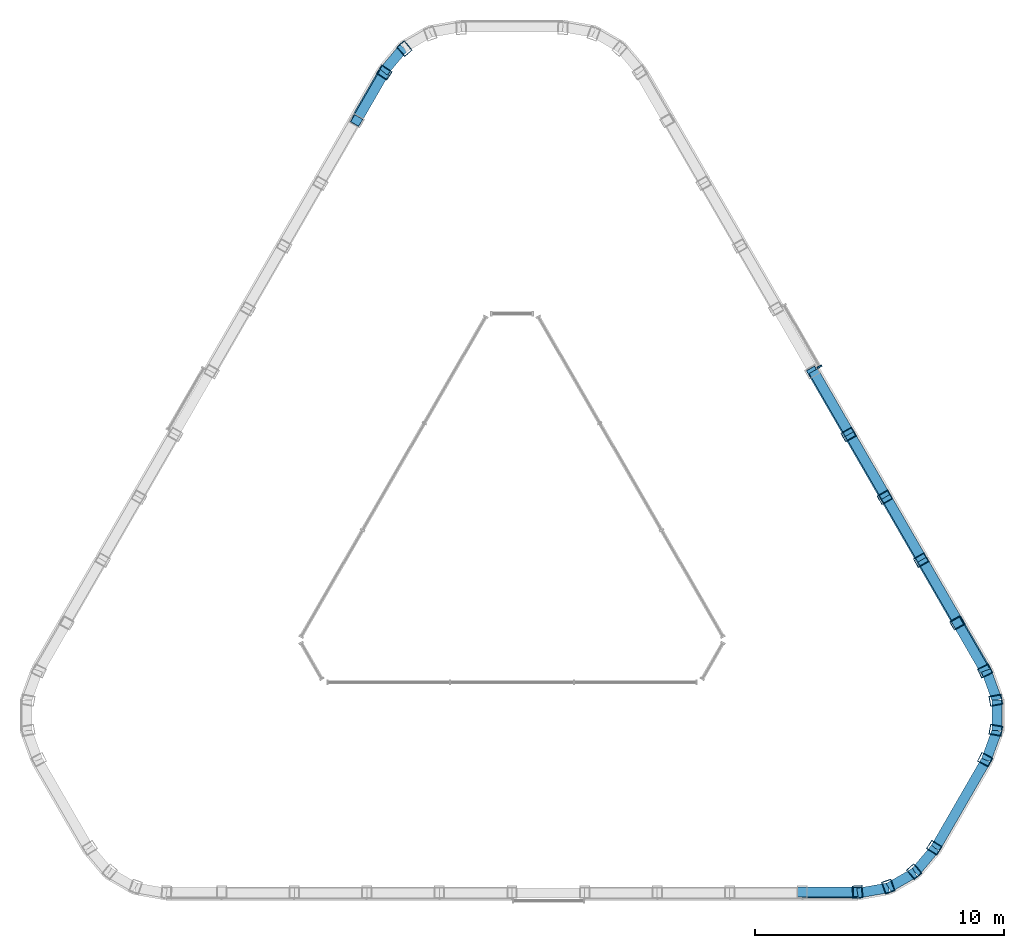
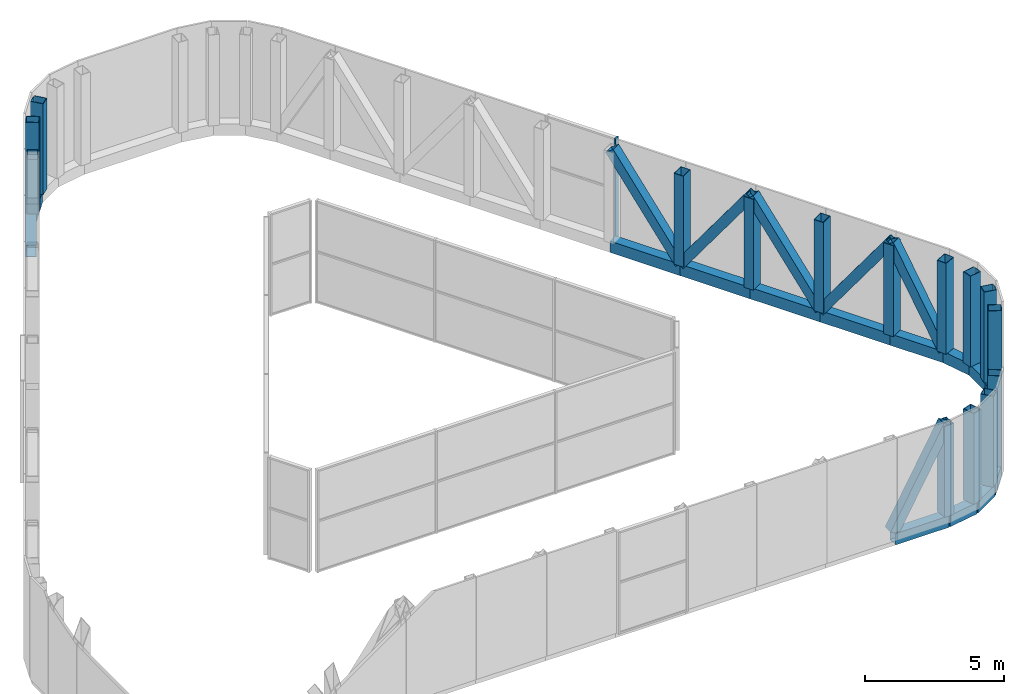
# One storey, part 3 of 5: 37 members, 1 element without a shape of its own.
"""IFC4 building model written with IfcOpenShell, lengths in metres."""

from ifc_helpers import new_model, si_unit, direction, frame, origin, origin_2d, place, context, subcontext, project, spatial, rectangle, hollow_rectangle, extrude, material, layer, layer_set, material_profile, profile_set, type_object, element, aggregate, save


model = new_model("IFC4")

# Units and contexts
model_context = context("Model", 3, precision=1e-05, world=origin(), true_north=direction((0.0, 1.0)))
body_context = subcontext(model_context, "Body", "Model", "MODEL_VIEW")
ifc_project = project(units=[si_unit("LENGTHUNIT", "METRE"), si_unit("AREAUNIT", "SQUARE_METRE"), si_unit("VOLUMEUNIT", "CUBIC_METRE"), si_unit("PLANEANGLEUNIT", "RADIAN"), si_unit("MASSUNIT", "GRAM", prefix="KILO")], contexts=[model_context])

# Site, building, storey
site_placement = place(None, origin())
site = spatial("IfcSite", under=ifc_project, at=site_placement, CompositionType="ELEMENT")
building_placement = place(site_placement, origin())
building = spatial("IfcBuilding", under=site, at=building_placement, Name="Apuvela Tower Hotel", CompositionType="ELEMENT")
storey_placement = place(building_placement, frame((0.0, 0.0, 362.300048828125)))
storey = spatial("IfcBuildingStorey", under=building, at=storey_placement, Name="R-5 ROOF", CompositionType="ELEMENT", Elevation=362.300048828125)

# Members
ifc_material_1 = material(Name="Steel S355, black paint system", Category="steel")
ifc_material_profile_1 = material_profile(ifc_material_1, hollow_rectangle(XDim=0.39990234375, YDim=0.39990234375, WallThickness=0.01611328125, at=origin_2d()), Name="HSS 400x400x16")
ifc_profile_set_1 = profile_set([ifc_material_profile_1], Name="Steel S355, black paint system")
member_type_1 = type_object("IfcMemberType", Name="ENV-CROWN-BRACE-400x400", PredefinedType="BRACE", material=ifc_profile_set_1)
member_1_placement = place(storey_placement, frame((-5.124755859375, 18.975830078125, 0.25), z_axis=(-0.242948815269, -0.420705831623, 0.874060911148), x_axis=(0.865977099567, -0.500083656027, 0.0)))
element("IfcMember", 1, at=member_1_placement, inside=storey, type_object=member_type_1, Name="Crown frame brace 7", PredefinedType="BRACE", context=body_context, shape_type="SweptSolid", body=[
    extrude(hollow_rectangle(XDim=0.39990234375, YDim=0.39990234375, WallThickness=0.01611328125, at=origin_2d()), origin(), (0.0, 0.0, 1.0), 4.576416015625),
])
member_2_placement = place(storey_placement, frame((11.64794921875, -13.92626953125, 0.25), z_axis=(0.485796931429, 0.0, 0.874071702673), x_axis=(0.0, 1.0, 0.0)))
element("IfcMember", 2, at=member_2_placement, inside=storey, type_object=member_type_1, Name="Crown frame brace 33", PredefinedType="BRACE", context=body_context, shape_type="SweptSolid", body=[
    extrude(hollow_rectangle(XDim=0.39990234375, YDim=0.39990234375, WallThickness=0.01611328125, at=origin_2d()), origin(), (0.0, 0.0, 1.0), 4.576171875),
])
member_3_placement = place(storey_placement, frame((18.99609375, -5.0498046875, 0.25), z_axis=(-0.242893162774, 0.420755188842, 0.874052620006), x_axis=(-0.866052104262, -0.499953750565, 0.0)))
element("IfcMember", 3, at=member_3_placement, inside=storey, type_object=member_type_1, Name="Crown frame brace 41", PredefinedType="BRACE", context=body_context, shape_type="SweptSolid", body=[
    extrude(hollow_rectangle(XDim=0.39990234375, YDim=0.39990234375, WallThickness=0.01611328125, at=origin_2d()), origin(), (0.0, 0.0, 1.0), 4.576416015625),
])
for number, where, z_axis, x_axis, name in (
    (4, (16.428466796875, -0.602294921875, 0.25), (0.294284958722, -0.509718917438, 0.80844479606), (0.866026430432, 0.49999822179, 0.0), "Crown frame brace 42"),
    (5, (16.428466796875, -0.602294921875, 0.25), (-0.294292360305, 0.509682392621, 0.808465129315), (-0.866005469285, -0.500034525977, 0.0), "Crown frame brace 43"),
    (6, (13.516357421875, 4.441162109375, 0.25), (0.294292360305, -0.509682392621, 0.808465129315), (0.866005469285, 0.500034525977, 0.0), "Crown frame brace 44"),
    (7, (13.516357421875, 4.441162109375, 0.25), (-0.294284958722, 0.509718917438, 0.80844479606), (-0.866026430432, -0.49999822179, 0.0), "Crown frame brace 45"),
):
    element("IfcMember", number, at=place(storey_placement, frame(where, z_axis=z_axis, x_axis=x_axis)), inside=storey, type_object=member_type_1, Name=name, PredefinedType="BRACE", context=body_context, shape_type="SweptSolid", body=[
        extrude(hollow_rectangle(XDim=0.39990234375, YDim=0.39990234375, WallThickness=0.01611328125, at=origin_2d()), origin(), (0.0, 0.0, 1.0), 4.94775390625),
    ])
ifc_material_profile_2 = material_profile(ifc_material_1, hollow_rectangle(XDim=0.39990234375, YDim=0.5, WallThickness=0.02001953125, at=origin_2d()), Name="HSS 500x400x20")
ifc_profile_set_2 = profile_set([ifc_material_profile_2], Name="Steel S355, black paint system")
member_type_2 = type_object("IfcMemberType", Name="ENV-CROWN-POST-500x400", PredefinedType="POST", material=ifc_profile_set_2)
for number, where, z_axis, x_axis, name in (
    (8, (-4.318115234375, 19.9375, 0.25), (0.0, 0.0, 1.0), (-0.763579690807, -0.645713601984, 0.0), "Crown frame post 6"),
    (9, (-5.124755859375, 18.975830078125, 0.25), (0.0, 0.0, 1.0), (-0.553467140498, -0.832871013056, 0.0), "Crown frame post 7"),
    (10, (13.87109375, -13.92626953125, 0.25), (0.0, 0.0, 1.0), (0.998021025631, 0.062881097303, 0.0), "Crown frame post 34"),
    (11, (15.107421875, -13.708251953125, 0.25), (0.0, 0.0, 1.0), (0.940994228291, 0.33842260906, 0.0), "Crown frame post 35"),
    (12, (16.148193359375, -13.107421875, 0.25), (0.0, 0.0, 1.0), (0.763579690807, 0.645713601984, 0.0), "Crown frame post 36"),
    (13, (16.955078125, -12.145751953125, 0.25), (0.0, 0.0, 1.0), (0.535045541825, 0.844823217113, 0.0), "Crown frame post 37"),
    (14, (18.99609375, -8.610595703125, 0.25), (0.0, 0.0, 1.0), (0.464115596815, 0.885774639958, 0.0), "Crown frame post 38"),
    (15, (19.42529296875, -7.43115234375, 0.25), (0.0, 0.0, 1.0), (0.177414537484, 0.984136211045, 0.0), "Crown frame post 39"),
    (16, (19.42529296875, -6.229248046875, 0.25), (0.0, 0.0, 1.0), (-0.177414537484, 0.984136211045, 0.0), "Crown frame post 40"),
    (17, (18.99609375, -5.0498046875, 0.25), (0.0, 0.0, 1.0), (-0.444553885133, 0.895752110359, 0.0), "Crown frame post 41"),
    (18, (17.884521484375, -3.124267578125, 0.25), (0.0, 0.0, 1.0), (-0.5, 0.866025403784, 0.0), "Crown frame post 42"),
    (19, (16.428466796875, -0.602294921875, 0.25), (0.0, 0.0, 1.0), (-0.5, 0.866025403784, 0.0), "Crown frame post 43"),
    (20, (14.972412109375, 1.91943359375, 0.25), (0.0, 0.0, 1.0), (-0.5, 0.866025403784, 0.0), "Crown frame post 44"),
    (21, (13.516357421875, 4.441162109375, 0.25), (0.0, 0.0, 1.0), (-0.5, 0.866025403784, 0.0), "Crown frame post 45"),
):
    element("IfcMember", number, at=place(storey_placement, frame(where, z_axis=z_axis, x_axis=x_axis)), inside=storey, type_object=member_type_2, Name=name, PredefinedType="POST", context=body_context, shape_type="SweptSolid", body=[
        extrude(hollow_rectangle(XDim=0.39990234375, YDim=0.5, WallThickness=0.02001953125, at=origin_2d()), origin(), (0.0, 0.0, 1.0), 4.0),
    ])
ifc_material_profile_3 = material_profile(ifc_material_1, hollow_rectangle(XDim=0.39990234375, YDim=0.5, WallThickness=0.01611328125, at=origin_2d()), Name="HSS 500x400x16")
ifc_profile_set_3 = profile_set([ifc_material_profile_3], Name="Steel S355, black paint system")
member_type_3 = type_object("IfcMemberType", Name="ENV-CROWN-RING-500x400", PredefinedType="STRINGER", material=ifc_profile_set_3)
member_4_placement = place(storey_placement, frame((-4.3505859375, 19.976318359375, 0.0), z_axis=(-0.642830918567, -0.766008100567, 0.0), x_axis=(0.766008100567, -0.642830918567, 0.0)))
element("IfcMember", 22, at=member_4_placement, inside=storey, type_object=member_type_3, Name="Crown frame ring beam 5.6", PredefinedType="STRINGER", context=body_context, shape_type="SweptSolid", body=[
    extrude(hollow_rectangle(XDim=0.39990234375, YDim=0.5, WallThickness=0.01611328125, at=origin_2d()), origin(), (0.0, 0.0, 1.0), 1.2685546875),
])
for number, where, z_axis, x_axis, name in (
    (23, (-5.166015625, 19.004638671875, 0.0), (-0.499941024108, -0.866059450854, 0.0), (0.866059450854, -0.499941024108, 0.0), "Crown frame ring beam 5.7"),
    (24, (11.651611328125, -13.976318359375, 0.0), (1.0, 0.0, 0.0), (0.0, 1.0, 0.0), "Crown frame ring beam 5.33"),
):
    element("IfcMember", number, at=place(storey_placement, frame(where, z_axis=z_axis, x_axis=x_axis)), inside=storey, type_object=member_type_3, Name=name, PredefinedType="STRINGER", context=body_context, shape_type="SweptSolid", body=[
        extrude(hollow_rectangle(XDim=0.39990234375, YDim=0.5, WallThickness=0.01611328125, at=origin_2d()), origin(), (0.0, 0.0, 1.0), 2.223876953125),
    ])
member_5_placement = place(storey_placement, frame((13.87548828125, -13.976318359375, 0.0), z_axis=(0.984783558818, 0.173785333909, 0.0), x_axis=(-0.173785333909, 0.984783558818, 0.0)))
element("IfcMember", 25, at=member_5_placement, inside=storey, type_object=member_type_3, Name="Crown frame ring beam 5.34", PredefinedType="STRINGER", context=body_context, shape_type="SweptSolid", body=[
    extrude(hollow_rectangle(XDim=0.39990234375, YDim=0.5, WallThickness=0.01611328125, at=origin_2d()), origin(), (0.0, 0.0, 1.0), 1.2685546875),
])
member_6_placement = place(storey_placement, frame((15.124755859375, -13.755859375, 0.0), z_axis=(0.866078909804, 0.499907313403, 0.0), x_axis=(-0.499907313403, 0.866078909804, 0.0)))
element("IfcMember", 26, at=member_6_placement, inside=storey, type_object=member_type_3, Name="Crown frame ring beam 5.35", PredefinedType="STRINGER", context=body_context, shape_type="SweptSolid", body=[
    extrude(hollow_rectangle(XDim=0.39990234375, YDim=0.5, WallThickness=0.01611328125, at=origin_2d()), origin(), (0.0, 0.0, 1.0), 1.219482421875),
])
member_7_placement = place(storey_placement, frame((16.180908203125, -13.146240234375, 0.0), z_axis=(0.642717965607, 0.766102876046, 0.0), x_axis=(-0.766102876046, 0.642717965607, 0.0)))
element("IfcMember", 27, at=member_7_placement, inside=storey, type_object=member_type_3, Name="Crown frame ring beam 5.36", PredefinedType="STRINGER", context=body_context, shape_type="SweptSolid", body=[
    extrude(hollow_rectangle(XDim=0.39990234375, YDim=0.5, WallThickness=0.01611328125, at=origin_2d()), origin(), (0.0, 0.0, 1.0), 1.268310546875),
])
member_8_placement = place(storey_placement, frame((16.99609375, -12.174560546875, 0.0), z_axis=(0.500003144135, 0.86602358851, 0.0), x_axis=(-0.86602358851, 0.500003144135, 0.0)))
element("IfcMember", 28, at=member_8_placement, inside=storey, type_object=member_type_3, Name="Crown frame ring beam 5.37", PredefinedType="STRINGER", context=body_context, shape_type="SweptSolid", body=[
    extrude(hollow_rectangle(XDim=0.39990234375, YDim=0.5, WallThickness=0.01611328125, at=origin_2d()), origin(), (0.0, 0.0, 1.0), 4.0908203125),
])
member_9_placement = place(storey_placement, frame((19.04150390625, -8.6318359375, 0.0), z_axis=(0.34203668354, 0.939686600475, 0.0), x_axis=(-0.939686600475, 0.34203668354, 0.0)))
element("IfcMember", 29, at=member_9_placement, inside=storey, type_object=member_type_3, Name="Crown frame ring beam 5.38", PredefinedType="STRINGER", context=body_context, shape_type="SweptSolid", body=[
    extrude(hollow_rectangle(XDim=0.39990234375, YDim=0.5, WallThickness=0.01611328125, at=origin_2d()), origin(), (0.0, 0.0, 1.0), 1.268310546875),
])
member_10_placement = place(storey_placement, frame((19.475341796875, -7.43994140625, 0.0), z_axis=(0.0, 1.0, 0.0), x_axis=(-1.0, 0.0, 0.0)))
element("IfcMember", 30, at=member_10_placement, inside=storey, type_object=member_type_3, Name="Crown frame ring beam 5.39", PredefinedType="STRINGER", context=body_context, shape_type="SweptSolid", body=[
    extrude(hollow_rectangle(XDim=0.39990234375, YDim=0.5, WallThickness=0.01611328125, at=origin_2d()), origin(), (0.0, 0.0, 1.0), 1.219482421875),
])
member_11_placement = place(storey_placement, frame((19.475341796875, -6.220458984375, 0.0), z_axis=(-0.34203668354, 0.939686600475, 0.0), x_axis=(-0.939686600475, -0.34203668354, 0.0)))
element("IfcMember", 31, at=member_11_placement, inside=storey, type_object=member_type_3, Name="Crown frame ring beam 5.40", PredefinedType="STRINGER", context=body_context, shape_type="SweptSolid", body=[
    extrude(hollow_rectangle(XDim=0.39990234375, YDim=0.5, WallThickness=0.01611328125, at=origin_2d()), origin(), (0.0, 0.0, 1.0), 1.268310546875),
])
member_12_placement = place(storey_placement, frame((19.04150390625, -5.028564453125, 0.0), z_axis=(-0.500023359282, 0.866011916877, 0.0), x_axis=(-0.866011916877, -0.500023359282, 0.0)))
element("IfcMember", 32, at=member_12_placement, inside=storey, type_object=member_type_3, Name="Crown frame ring beam 5.41", PredefinedType="STRINGER", context=body_context, shape_type="SweptSolid", body=[
    extrude(hollow_rectangle(XDim=0.39990234375, YDim=0.5, WallThickness=0.01611328125, at=origin_2d()), origin(), (0.0, 0.0, 1.0), 2.22412109375),
])
member_13_placement = place(storey_placement, frame((17.929443359375, -3.1025390625, 0.0), z_axis=(-0.499952204256, 0.866052996912, 0.0), x_axis=(-0.866052996912, -0.499952204256, 0.0)))
element("IfcMember", 33, at=member_13_placement, inside=storey, type_object=member_type_3, Name="Crown frame ring beam 5.42", PredefinedType="STRINGER", context=body_context, shape_type="SweptSolid", body=[
    extrude(hollow_rectangle(XDim=0.39990234375, YDim=0.5, WallThickness=0.01611328125, at=origin_2d()), origin(), (0.0, 0.0, 1.0), 2.912841796875),
])
member_14_placement = place(storey_placement, frame((16.47314453125, -0.579833984375, 0.0), z_axis=(-0.500015065024, 0.866016705814, 0.0), x_axis=(-0.866016705814, -0.500015065024, 0.0)))
element("IfcMember", 34, at=member_14_placement, inside=storey, type_object=member_type_3, Name="Crown frame ring beam 5.43", PredefinedType="STRINGER", context=body_context, shape_type="SweptSolid", body=[
    extrude(hollow_rectangle(XDim=0.39990234375, YDim=0.5, WallThickness=0.01611328125, at=origin_2d()), origin(), (0.0, 0.0, 1.0), 2.9130859375),
])
member_15_placement = place(storey_placement, frame((15.0166015625, 1.94287109375, 0.0), z_axis=(-0.499988496788, 0.866032045065, 0.0), x_axis=(-0.866032045065, -0.499988496788, 0.0)))
element("IfcMember", 35, at=member_15_placement, inside=storey, type_object=member_type_3, Name="Crown frame ring beam 5.44", PredefinedType="STRINGER", context=body_context, shape_type="SweptSolid", body=[
    extrude(hollow_rectangle(XDim=0.39990234375, YDim=0.5, WallThickness=0.01611328125, at=origin_2d()), origin(), (0.0, 0.0, 1.0), 2.91259765625),
])
member_16_placement = place(storey_placement, frame((13.560302734375, 4.46533203125, 0.0), z_axis=(-0.500015065024, 0.866016705814, 0.0), x_axis=(-0.866016705814, -0.500015065024, 0.0)))
element("IfcMember", 36, at=member_16_placement, inside=storey, type_object=member_type_3, Name="Crown frame ring beam 5.45", PredefinedType="STRINGER", context=body_context, shape_type="SweptSolid", body=[
    extrude(hollow_rectangle(XDim=0.39990234375, YDim=0.5, WallThickness=0.01611328125, at=origin_2d()), origin(), (0.0, 0.0, 1.0), 2.9130859375),
])

# Curtain wall, member
ifc_material_2 = material(Name="Aluminium 6063-T6, dark bronze anodised", Category="aluminium")
ifc_layer = layer(ifc_material_2, 0.199951171875)
ifc_layer_set = layer_set([ifc_layer], Name="ENV-CW-C")
curtain_wall_type = type_object("IfcCurtainWallType", Name="ENV-CW-C", PredefinedType="NOTDEFINED", material=ifc_layer_set)
curtain_wall_placement = place(storey_placement, origin())
curtain_wall = element("IfcCurtainWall", 37, at=curtain_wall_placement, inside=storey, type_object=curtain_wall_type, Name="Crown glazing 46 R-5 ROOF", PredefinedType="NOTDEFINED")
ifc_material_profile_4 = material_profile(ifc_material_2, rectangle(XDim=0.199951171875, YDim=0.06494140625, at=origin_2d()), Name="AL 65x200")
ifc_profile_set_4 = profile_set([ifc_material_profile_4], Name="Aluminium 6063-T6, dark bronze anodised")
member_type_4 = type_object("IfcMemberType", Name="ENV-MULLION-65x200", PredefinedType="MULLION", material=ifc_profile_set_4)
member_17_placement = place(storey_placement, frame((12.347412109375, 7.166259765625, 0.0), z_axis=(0.0, 0.0, 1.0), x_axis=(-0.866021760657, -0.500006310028, 0.0)))
member_17 = element("IfcMember", 38, at=member_17_placement, type_object=member_type_4, Name="CW-C mullion 1", PredefinedType="MULLION", context=body_context, shape_type="SweptSolid", body=[
    extrude(rectangle(XDim=0.199951171875, YDim=0.06494140625, at=origin_2d()), origin(), (0.0, 0.0, 1.0), 4.5),
])
aggregate(curtain_wall, [member_17])

save(model, "model.ifc")
